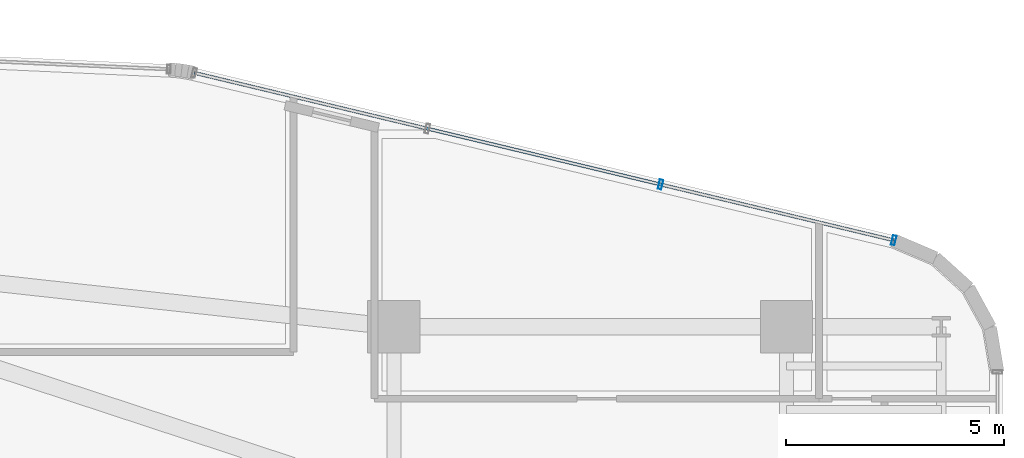
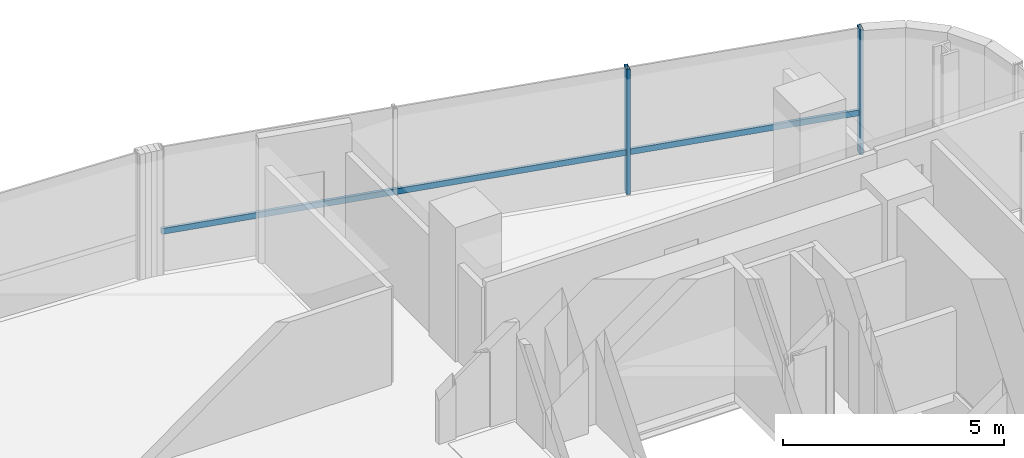
# One storey, part 23 of 34: 3 members, 1 element without a shape of its own.
"""IFC4 building model written with IfcOpenShell, lengths in metres."""

from ifc_helpers import new_model, si_unit, direction, frame, origin, origin_2d, place, context, subcontext, project, spatial, hollow_rectangle, extrude, source, transform, mapped, material, material_profile, profile_set, type_object, element, aggregate, save


model = new_model("IFC4")

# Units and contexts
model_context = context("Model", 3, precision=1e-05, world=origin(), true_north=direction((0.0, 1.0)))
body_context = subcontext(model_context, "Body", "Model", "MODEL_VIEW")
ifc_project = project(units=[si_unit("LENGTHUNIT", "METRE"), si_unit("AREAUNIT", "SQUARE_METRE"), si_unit("VOLUMEUNIT", "CUBIC_METRE"), si_unit("PLANEANGLEUNIT", "RADIAN"), si_unit("MASSUNIT", "GRAM", prefix="KILO")], contexts=[model_context])

# Site, building, storey
site_placement = place(None, origin())
site = spatial("IfcSite", under=ifc_project, at=site_placement, CompositionType="ELEMENT")
building_placement = place(site_placement, origin())
building = spatial("IfcBuilding", under=site, at=building_placement, Name="Valdorenza Pilgrim Sanctuary Tower", CompositionType="ELEMENT")
storey_placement = place(building_placement, frame((0.0, 0.0, 146.39990234375)))
storey = spatial("IfcBuildingStorey", under=building, at=storey_placement, Name="L37", CompositionType="ELEMENT", Elevation=146.39990234375)

# Curtain wall, members
ifc_material_1 = material(Name="Curtain-wall IGU glazing", Category="glass")
curtain_wall_type = type_object("IfcCurtainWallType", Name="CW-SYS-03", PredefinedType="NOTDEFINED", material=ifc_material_1)
curtain_wall_placement = place(storey_placement, origin())
curtain_wall = element("IfcCurtainWall", 1, at=curtain_wall_placement, inside=storey, type_object=curtain_wall_type, Name="L37 Curtain Wall CW-L37-1-16", PredefinedType="NOTDEFINED")
ifc_material_2 = material(Name="Anodised aluminium AW-6060", Category="aluminium")
ifc_material_profile_1 = material_profile(ifc_material_2, hollow_rectangle(XDim=0.0849609375, YDim=0.219970703125, WallThickness=0.0048828125, at=origin_2d()), Name="ALU-M 220x85x5")
ifc_profile_set_1 = profile_set([ifc_material_profile_1], Name="Anodised aluminium AW-6060")
member_type_1 = type_object("IfcMemberType", Name="CW-MUL-03", PredefinedType="MULLION", material=ifc_profile_set_1)
shared_shape_1 = source(origin(), body_context, "Body", "SweptSolid", [
    extrude(hollow_rectangle(XDim=0.0849609375, YDim=0.219970703125, WallThickness=0.0048828125, at=origin_2d()), origin(), (0.0, 0.0, 1.0), 3.460205078125),
])
member_1_placement = place(storey_placement, frame((21.964111328125, 16.7626953125, 0.0), z_axis=(0.0, 0.0, 1.0), x_axis=(0.972528596343, -0.232783438617, 0.0)))
member_1 = element("IfcMember", 2, at=member_1_placement, type_object=member_type_1, Name="CW-L37-1-16 Mullion 3", PredefinedType="MULLION", context=body_context, shape_type="MappedRepresentation", body=[
    mapped(shared_shape_1, transform((0.0, 0.0, 0.0), x_axis=(1.0, 0.0, 0.0), y_axis=(0.0, 1.0, 0.0), z_axis=(0.0, 0.0, 1.0), scale=1.0)),
])
member_2_placement = place(storey_placement, frame((27.310302734375, 15.48291015625, 0.0), z_axis=(0.0, 0.0, 1.0), x_axis=(0.972528596343, -0.232783438617, 0.0)))
member_2 = element("IfcMember", 3, at=member_2_placement, type_object=member_type_1, Name="CW-L37-1-16 Mullion 4", PredefinedType="MULLION", context=body_context, shape_type="MappedRepresentation", body=[
    mapped(shared_shape_1, transform((0.0, 0.0, 0.0), x_axis=(1.0, 0.0, 0.0), y_axis=(0.0, 1.0, 0.0), z_axis=(0.0, 0.0, 1.0), scale=1.0)),
])
ifc_material_profile_2 = material_profile(ifc_material_2, hollow_rectangle(XDim=0.074951171875, YDim=0.159912109375, WallThickness=0.00390625, at=origin_2d()), Name="ALU-T 160x75x4")
ifc_profile_set_2 = profile_set([ifc_material_profile_2], Name="Anodised aluminium AW-6060")
member_type_2 = type_object("IfcMemberType", Name="CW-TRN-03", PredefinedType="USERDEFINED", material=ifc_profile_set_2)
shared_shape_2 = source(origin(), body_context, "Body", "SweptSolid", [
    extrude(hollow_rectangle(XDim=0.074951171875, YDim=0.159912109375, WallThickness=0.00390625, at=origin_2d()), origin(), (0.0, 0.0, 1.0), 16.491943359375),
])
member_3_placement = place(storey_placement, frame((11.271484375, 19.322021484375, 1.1201171875), z_axis=(0.972527548122, -0.232787817859, 0.0), x_axis=(0.232787817859, 0.972527548122, 0.0)))
member_3 = element("IfcMember", 4, at=member_3_placement, type_object=member_type_2, Name="CW-L37-1-16 Transom 1", ObjectType="TRANSOM", PredefinedType="USERDEFINED", context=body_context, shape_type="MappedRepresentation", body=[
    mapped(shared_shape_2, transform((0.0, 0.0, 0.0), x_axis=(1.0, 0.0, 0.0), y_axis=(0.0, 1.0, 0.0), z_axis=(0.0, 0.0, 1.0), scale=1.0)),
])
aggregate(curtain_wall, [member_1, member_2, member_3])

save(model, "model.ifc")
